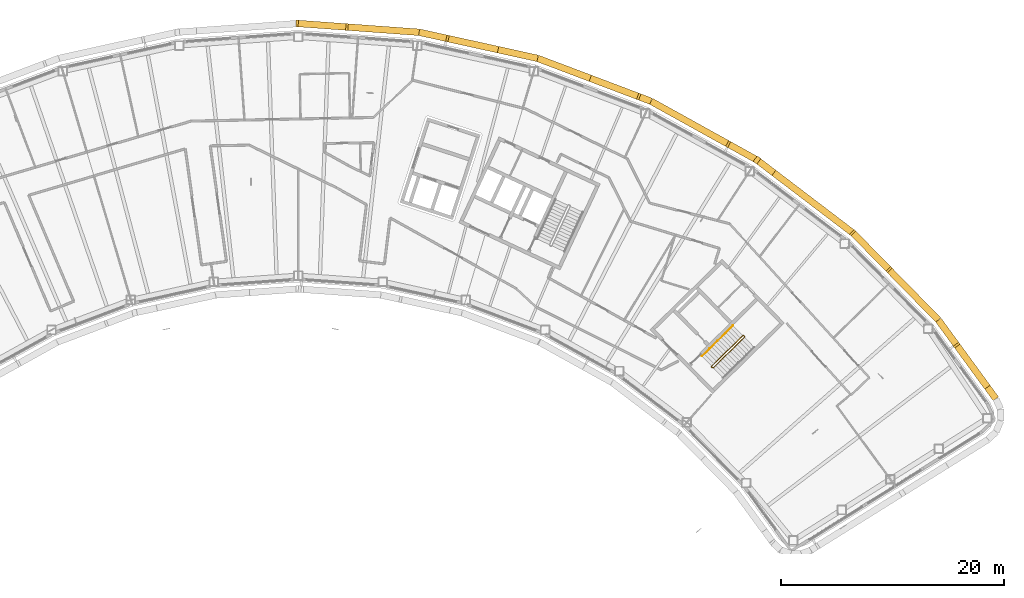
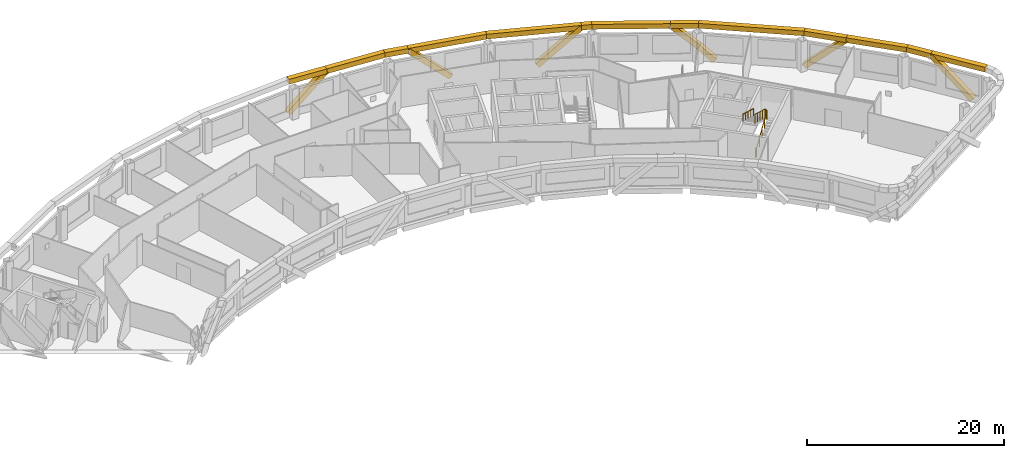
# One storey, part 20 of 21: 20 coverings, 2 railings.
"""IFC4 building model written with IfcOpenShell, lengths in metres."""

from ifc_helpers import new_model, si_unit, direction, frame, origin, origin_2d, place, context, subcontext, project, spatial, rectangle, circle, extrude, material, material_profile, profile_set, type_object, element, save


model = new_model("IFC4")

# Units and contexts
model_context = context("Model", 3, precision=1e-05, world=origin(), true_north=direction((0.0, 1.0)))
body_context = subcontext(model_context, "Body", "Model", "MODEL_VIEW")
ifc_project = project(units=[si_unit("LENGTHUNIT", "METRE"), si_unit("AREAUNIT", "SQUARE_METRE"), si_unit("VOLUMEUNIT", "CUBIC_METRE"), si_unit("PLANEANGLEUNIT", "RADIAN"), si_unit("MASSUNIT", "GRAM", prefix="KILO")], contexts=[model_context])

# Site, building, storey
site_placement = place(None, origin())
site = spatial("IfcSite", under=ifc_project, at=site_placement, CompositionType="ELEMENT")
building_placement = place(site_placement, origin())
building = spatial("IfcBuilding", under=site, at=building_placement, Name="Tuul Gate Civic Tower", CompositionType="ELEMENT")
storey_placement = place(building_placement, frame((0.0, 0.0, 273.60009765625)))
storey = spatial("IfcBuildingStorey", under=building, at=storey_placement, Name="Level 62", CompositionType="ELEMENT", Elevation=273.60009765625)

# Railings
ifc_material_1 = material(Name="Painted steel", Category="steel")
railing_type_1 = type_object("IfcRailingType", Name="Stair guard", PredefinedType="GUARDRAIL", material=ifc_material_1)
railing_1_placement = place(storey_placement, frame((48.10546875, -16.134765625, 0.0)))
element("IfcRailing", 1, at=railing_1_placement, inside=storey, type_object=railing_type_1, Name="Level 62 ST-3 stair guard 1", PredefinedType="GUARDRAIL", context=body_context, shape_type="SweptSolid", body=[
    extrude(circle(Radius=0.02392578125, at=origin_2d()), frame((0.0, 0.0, 1.076171875), z_axis=(-0.698506948293, 0.715603272202, 0.0), x_axis=(-0.715603272202, -0.698506948293, 0.0)), (0.0, 0.0, 1.0), 0.099853515625),
    extrude(circle(Radius=0.02392578125, at=origin_2d()), frame((-0.06982421875, 0.071533203125, 1.076171875), z_axis=(0.645446321009, -0.331687692741, 0.688027849131), x_axis=(0.457068866502, 0.889431307788, 0.0)), (0.0, 0.0, 1.0), 0.2177734375),
    extrude(circle(Radius=0.02392578125, at=origin_2d()), frame((0.07080078125, -0.000732421875, 1.22607421875), z_axis=(0.638731261263, 0.626133563701, 0.447190268558), x_axis=(-0.700029477518, 0.714113947914, 0.0)), (0.0, 0.0, 1.0), 4.3603515625),
    extrude(circle(Radius=0.02392578125, at=origin_2d()), frame((2.85595703125, 2.7294921875, 3.17578125), z_axis=(0.010380063588, 0.999946125689, 0.0), x_axis=(-0.999946125689, 0.010380063588, 0.0)), (0.0, 0.0, 1.0), 0.070556640625),
    extrude(circle(Radius=0.02392578125, at=origin_2d()), frame((2.856689453125, 2.800048828125, 3.17578125), z_axis=(-0.699754442181, 0.714383454909, 0.0), x_axis=(-0.714383454909, -0.699754442181, 0.0)), (0.0, 0.0, 1.0), 0.10009765625),
    extrude(circle(Radius=0.02392578125, at=origin_2d()), frame((2.78662109375, 2.87158203125, 3.17578125), z_axis=(-0.426501027327, 0.004412079593, 0.904476316574), x_axis=(-0.010344274102, -0.999946496565, 0.0)), (0.0, 0.0, 1.0), 0.166015625),
    extrude(circle(Radius=0.02392578125, at=origin_2d()), frame((2.7158203125, 2.872314453125, 3.326171875), z_axis=(-0.638731261263, -0.626133563701, 0.447190268558), x_axis=(0.700029477518, -0.714113947914, 0.0)), (0.0, 0.0, 1.0), 4.3603515625),
    extrude(circle(Radius=0.02099609375, at=origin_2d()), origin(), (0.0, 0.0, 1.0), 1.052001953125),
    extrude(circle(Radius=0.02099609375, at=origin_2d()), frame((-0.06982421875, 0.071533203125, 0.0)), (0.0, 0.0, 1.0), 1.052001953125),
    extrude(circle(Radius=0.02099609375, at=origin_2d()), frame((0.07080078125, -0.000732421875, 0.14990234375)), (0.0, 0.0, 1.0), 1.052001953125),
    extrude(circle(Radius=0.02099609375, at=origin_2d()), frame((0.76708984375, 0.681884765625, 0.637451171875)), (0.0, 0.0, 1.0), 1.052001953125),
    extrude(circle(Radius=0.02099609375, at=origin_2d()), frame((1.46337890625, 1.3642578125, 1.125)), (0.0, 0.0, 1.0), 1.052001953125),
    extrude(circle(Radius=0.02099609375, at=origin_2d()), frame((2.15966796875, 2.046875, 1.6123046875)), (0.0, 0.0, 1.0), 1.052001953125),
    extrude(circle(Radius=0.02099609375, at=origin_2d()), frame((2.85595703125, 2.7294921875, 2.099853515625)), (0.0, 0.0, 1.0), 1.052001953125),
    extrude(circle(Radius=0.02099609375, at=origin_2d()), frame((2.856689453125, 2.800048828125, 2.099853515625)), (0.0, 0.0, 1.0), 1.052001953125),
    extrude(circle(Radius=0.02099609375, at=origin_2d()), frame((2.78662109375, 2.87158203125, 2.099853515625)), (0.0, 0.0, 1.0), 1.052001953125),
    extrude(circle(Radius=0.02099609375, at=origin_2d()), frame((2.7158203125, 2.872314453125, 2.25)), (0.0, 0.0, 1.0), 1.052001953125),
    extrude(circle(Radius=0.02099609375, at=origin_2d()), frame((2.01953125, 2.189697265625, 2.737548828125)), (0.0, 0.0, 1.0), 1.052001953125),
    extrude(circle(Radius=0.02099609375, at=origin_2d()), frame((1.3232421875, 1.50732421875, 3.22509765625)), (0.0, 0.0, 1.0), 1.052001953125),
    extrude(circle(Radius=0.02099609375, at=origin_2d()), frame((0.626953125, 0.82470703125, 3.71240234375)), (0.0, 0.0, 1.0), 1.052001953125),
    extrude(circle(Radius=0.02099609375, at=origin_2d()), frame((-0.0693359375, 0.14208984375, 4.199951171875)), (0.0, 0.0, 1.0), 1.052001953125),
])
ifc_material_2 = material(Name="Painted steel", Category="steel")
railing_type_2 = type_object("IfcRailingType", Name="Stair handrail", PredefinedType="HANDRAIL", material=ifc_material_2)
railing_2_placement = place(storey_placement, frame((49.9462890625, -12.369873046875, 2.25)))
element("IfcRailing", 2, at=railing_2_placement, inside=storey, type_object=railing_type_2, Name="Level 62 ST-3 stair handrail 2", PredefinedType="HANDRAIL", context=body_context, shape_type="SweptSolid", body=[
    extrude(circle(Radius=0.02392578125, at=origin_2d()), frame((0.0, 0.0, 0.8759765625), z_axis=(-0.638753653487, -0.626099522554, 0.447205945863), x_axis=(0.699997553204, -0.714145241186, 0.0)), (0.0, 0.0, 1.0), 4.3603515625),
    extrude(circle(Radius=0.02099609375, at=origin_2d()), origin(), (0.0, 0.0, 1.0), 0.851806640625),
    extrude(circle(Radius=0.02099609375, at=origin_2d()), frame((-0.6962890625, -0.6826171875, 0.487548828125)), (0.0, 0.0, 1.0), 0.851806640625),
    extrude(circle(Radius=0.02099609375, at=origin_2d()), frame((-1.392578125, -1.364990234375, 0.97509765625)), (0.0, 0.0, 1.0), 0.851806640625),
    extrude(circle(Radius=0.02099609375, at=origin_2d()), frame((-2.0888671875, -2.04736328125, 1.46240234375)), (0.0, 0.0, 1.0), 0.851806640625),
    extrude(circle(Radius=0.02099609375, at=origin_2d()), frame((-2.78515625, -2.72998046875, 1.949951171875)), (0.0, 0.0, 1.0), 0.851806640625),
])

# Coverings
ifc_material_3 = material(Name="Terracotta baguette", Category="masonry")
ifc_material_profile = material_profile(ifc_material_3, rectangle(XDim=0.60009765625, YDim=0.60009765625, at=origin_2d()), Name="Terracotta baguette screen frame")
ifc_profile_set = profile_set([ifc_material_profile], Name="Terracotta baguette")
covering_type = type_object("IfcCoveringType", Name="Terracotta baguette screen frame", PredefinedType="CLADDING", material=ifc_profile_set)
covering_1_placement = place(storey_placement, frame((72.5908203125, -17.710205078125, -0.35009765625), z_axis=(-0.43381273789, 0.593947335463, 0.677519793911), x_axis=(-0.807537279361, -0.589816532866, 0.0)))
element("IfcCovering", 3, at=covering_1_placement, inside=storey, type_object=covering_type, Name="Baguette 20", PredefinedType="CLADDING", context=body_context, shape_type="SweptSolid", body=[
    extrude(rectangle(XDim=0.60009765625, YDim=0.60009765625, at=origin_2d()), origin(), (0.0, 0.0, 1.0), 6.198974609375),
])
covering_2_placement = place(storey_placement, frame((69.901611328125, -14.0283203125, 3.849853515625), z_axis=(-0.589838453856, 0.80752126805, 0.0), x_axis=(-0.80752126805, -0.589838453856, 0.0)))
element("IfcCovering", 4, at=covering_2_placement, inside=storey, type_object=covering_type, Name="Baguette 25", PredefinedType="CLADDING", context=body_context, shape_type="SweptSolid", body=[
    extrude(rectangle(XDim=0.60009765625, YDim=0.60009765625, at=origin_2d()), origin(), (0.0, 0.0, 1.0), 2.680419921875),
])
covering_3_placement = place(storey_placement, frame((68.320556640625, -11.86376953125, 3.849853515625), z_axis=(-0.700001676443, 0.714141199607, 0.0), x_axis=(-0.714141199607, -0.700001676443, 0.0)))
element("IfcCovering", 5, at=covering_3_placement, inside=storey, type_object=covering_type, Name="Baguette 26", PredefinedType="CLADDING", context=body_context, shape_type="SweptSolid", body=[
    extrude(rectangle(XDim=0.60009765625, YDim=0.60009765625, at=origin_2d()), origin(), (0.0, 0.0, 1.0), 6.406005859375),
])
covering_4_placement = place(storey_placement, frame((63.83642578125, -7.2890625, 3.849853515625), z_axis=(-0.513624300076, 0.524020900533, -0.679405750768), x_axis=(-0.714155733534, -0.699986848634, 0.0)))
element("IfcCovering", 6, at=covering_4_placement, inside=storey, type_object=covering_type, Name="Baguette 29", PredefinedType="CLADDING", context=body_context, shape_type="SweptSolid", body=[
    extrude(rectangle(XDim=0.60009765625, YDim=0.60009765625, at=origin_2d()), origin(), (0.0, 0.0, 1.0), 6.05859375),
])
covering_5_placement = place(storey_placement, frame((53.43408203125, 1.436279296875, -0.35009765625), z_axis=(-0.583876944248, 0.44440879214, 0.679403075828), x_axis=(-0.605655261716, -0.795727154215, 0.0)))
element("IfcCovering", 7, at=covering_5_placement, inside=storey, type_object=covering_type, Name="Baguette 43", PredefinedType="CLADDING", context=body_context, shape_type="SweptSolid", body=[
    extrude(rectangle(XDim=0.60009765625, YDim=0.60009765625, at=origin_2d()), origin(), (0.0, 0.0, 1.0), 2.30029296875),
])
covering_6_placement = place(storey_placement, frame((52.091064453125, 2.45849609375, 1.212646484375), z_axis=(-0.641765488078, 0.355788648183, 0.679375813624), x_axis=(-0.484864067073, -0.874589524555, 0.0)))
element("IfcCovering", 8, at=covering_6_placement, inside=storey, type_object=covering_type, Name="Baguette 44", PredefinedType="CLADDING", context=body_context, shape_type="SweptSolid", body=[
    extrude(rectangle(XDim=0.60009765625, YDim=0.60009765625, at=origin_2d()), origin(), (0.0, 0.0, 1.0), 3.8818359375),
])
covering_7_placement = place(storey_placement, frame((49.599853515625, 3.839599609375, 3.849853515625), z_axis=(-0.874640335778, 0.484772403329, 0.0), x_axis=(-0.484772403329, -0.874640335778, 0.0)))
element("IfcCovering", 9, at=covering_7_placement, inside=storey, type_object=covering_type, Name="Baguette 49", PredefinedType="CLADDING", context=body_context, shape_type="SweptSolid", body=[
    extrude(rectangle(XDim=0.60009765625, YDim=0.60009765625, at=origin_2d()), origin(), (0.0, 0.0, 1.0), 8.0029296875),
])
covering_8_placement = place(storey_placement, frame((42.60009765625, 7.71923828125, 3.849853515625), z_axis=(-0.93530259412, 0.353848918937, 0.0), x_axis=(-0.353848918937, -0.93530259412, 0.0)))
element("IfcCovering", 10, at=covering_8_placement, inside=storey, type_object=covering_type, Name="Baguette 50", PredefinedType="CLADDING", context=body_context, shape_type="SweptSolid", body=[
    extrude(rectangle(XDim=0.60009765625, YDim=0.60009765625, at=origin_2d()), origin(), (0.0, 0.0, 1.0), 1.0693359375),
])
covering_9_placement = place(storey_placement, frame((41.599853515625, 8.09765625, 3.849853515625), z_axis=(-0.686341416792, 0.259545186211, -0.679390724039), x_axis=(-0.353711403676, -0.935354608108, 0.0)))
element("IfcCovering", 11, at=covering_9_placement, inside=storey, type_object=covering_type, Name="Baguette 52", PredefinedType="CLADDING", context=body_context, shape_type="SweptSolid", body=[
    extrude(rectangle(XDim=0.60009765625, YDim=0.60009765625, at=origin_2d()), origin(), (0.0, 0.0, 1.0), 6.181884765625),
])
covering_10_placement = place(storey_placement, frame((28.71337890625, 12.38134765625, -0.35009765625), z_axis=(-0.716605121532, 0.157924825361, 0.679365033931), x_axis=(-0.215214937511, -0.976566705695, 0.0)))
element("IfcCovering", 12, at=covering_10_placement, inside=storey, type_object=covering_type, Name="Baguette 62", PredefinedType="CLADDING", context=body_context, shape_type="SweptSolid", body=[
    extrude(rectangle(XDim=0.60009765625, YDim=0.60009765625, at=origin_2d()), origin(), (0.0, 0.0, 1.0), 6.18212890625),
])
covering_11_placement = place(storey_placement, frame((24.283203125, 13.357666015625, 3.849853515625), z_axis=(-0.976571103923, 0.215194978989, 0.0), x_axis=(-0.215194978989, -0.976571103923, 0.0)))
element("IfcCovering", 13, at=covering_11_placement, inside=storey, type_object=covering_type, Name="Baguette 67", PredefinedType="CLADDING", context=body_context, shape_type="SweptSolid", body=[
    extrude(rectangle(XDim=0.60009765625, YDim=0.60009765625, at=origin_2d()), origin(), (0.0, 0.0, 1.0), 2.488037109375),
])
covering_12_placement = place(storey_placement, frame((21.853515625, 13.89306640625, 3.849853515625), z_axis=(-0.997385338271, 0.07226677662, 0.0), x_axis=(-0.07226677662, -0.997385338271, 0.0)))
element("IfcCovering", 14, at=covering_12_placement, inside=storey, type_object=covering_type, Name="Baguette 68", PredefinedType="CLADDING", context=body_context, shape_type="SweptSolid", body=[
    extrude(rectangle(XDim=0.60009765625, YDim=0.60009765625, at=origin_2d()), origin(), (0.0, 0.0, 1.0), 6.58447265625),
])
covering_13_placement = place(storey_placement, frame((15.286376953125, 14.368896484375, 3.849853515625), z_axis=(-0.731868618978, 0.052990143267, -0.679382343951), x_axis=(-0.072214861862, -0.99738909846, 0.0)))
element("IfcCovering", 15, at=covering_13_placement, inside=storey, type_object=covering_type, Name="Baguette 71", PredefinedType="CLADDING", context=body_context, shape_type="SweptSolid", body=[
    extrude(rectangle(XDim=0.60009765625, YDim=0.60009765625, at=origin_2d()), origin(), (0.0, 0.0, 1.0), 5.814453125),
])
covering_14_placement = place(storey_placement, frame((63.83642578125, -7.2890625, 3.849853515625), z_axis=(-0.699986848634, 0.714155733534, 0.0), x_axis=(-0.714155733534, -0.699986848634, 0.0)))
element("IfcCovering", 16, at=covering_14_placement, inside=storey, type_object=covering_type, Name="Baguette 423", PredefinedType="CLADDING", context=body_context, shape_type="SweptSolid", body=[
    extrude(rectangle(XDim=0.60009765625, YDim=0.60009765625, at=origin_2d()), origin(), (0.0, 0.0, 1.0), 4.445556640625),
])
covering_15_placement = place(storey_placement, frame((60.724609375, -4.1142578125, 3.849853515625), z_axis=(-0.795662019665, 0.605740827798, 0.0), x_axis=(-0.605740827798, -0.795662019665, 0.0)))
element("IfcCovering", 17, at=covering_15_placement, inside=storey, type_object=covering_type, Name="Baguette 424", PredefinedType="CLADDING", context=body_context, shape_type="SweptSolid", body=[
    extrude(rectangle(XDim=0.60009765625, YDim=0.60009765625, at=origin_2d()), origin(), (0.0, 0.0, 1.0), 10.850830078125),
])
covering_16_placement = place(storey_placement, frame((52.091064453125, 2.45849609375, 3.849853515625), z_axis=(-0.874589524555, 0.484864067073, 0.0), x_axis=(-0.484864067073, -0.874589524555, 0.0)))
element("IfcCovering", 18, at=covering_16_placement, inside=storey, type_object=covering_type, Name="Baguette 425", PredefinedType="CLADDING", context=body_context, shape_type="SweptSolid", body=[
    extrude(rectangle(XDim=0.60009765625, YDim=0.60009765625, at=origin_2d()), origin(), (0.0, 0.0, 1.0), 2.848388671875),
])
covering_17_placement = place(storey_placement, frame((41.599853515625, 8.09765625, 3.849853515625), z_axis=(-0.935353222588, 0.353715067524, 0.0), x_axis=(-0.353715067524, -0.935353222588, 0.0)))
element("IfcCovering", 19, at=covering_17_placement, inside=storey, type_object=covering_type, Name="Baguette 426", PredefinedType="CLADDING", context=body_context, shape_type="SweptSolid", body=[
    extrude(rectangle(XDim=0.60009765625, YDim=0.60009765625, at=origin_2d()), origin(), (0.0, 0.0, 1.0), 9.78173828125),
])
covering_18_placement = place(storey_placement, frame((32.450439453125, 11.5576171875, 3.849853515625), z_axis=(-0.976562678292, 0.215233211582, 0.0), x_axis=(-0.215233211582, -0.976562678292, 0.0)))
element("IfcCovering", 20, at=covering_18_placement, inside=storey, type_object=covering_type, Name="Baguette 427", PredefinedType="CLADDING", context=body_context, shape_type="SweptSolid", body=[
    extrude(rectangle(XDim=0.60009765625, YDim=0.60009765625, at=origin_2d()), origin(), (0.0, 0.0, 1.0), 8.36328125),
])
covering_19_placement = place(storey_placement, frame((15.286376953125, 14.368896484375, 3.849853515625), z_axis=(-0.99738909846, 0.072214861862, 0.0), x_axis=(-0.072214861862, -0.99738909846, 0.0)))
element("IfcCovering", 21, at=covering_19_placement, inside=storey, type_object=covering_type, Name="Baguette 428", PredefinedType="CLADDING", context=body_context, shape_type="SweptSolid", body=[
    extrude(rectangle(XDim=0.60009765625, YDim=0.60009765625, at=origin_2d()), origin(), (0.0, 0.0, 1.0), 4.2666015625),
])
covering_20_placement = place(storey_placement, frame((73.47216796875, -18.9169921875, 3.849853515625), z_axis=(-0.589808275689, 0.807543310249, 0.0), x_axis=(-0.807543310249, -0.589808275689, 0.0)))
element("IfcCovering", 22, at=covering_20_placement, inside=storey, type_object=covering_type, Name="Baguette 460", PredefinedType="CLADDING", context=body_context, shape_type="SweptSolid", body=[
    extrude(rectangle(XDim=0.60009765625, YDim=0.60009765625, at=origin_2d()), origin(), (0.0, 0.0, 1.0), 6.0537109375),
])

save(model, "model.ifc")
